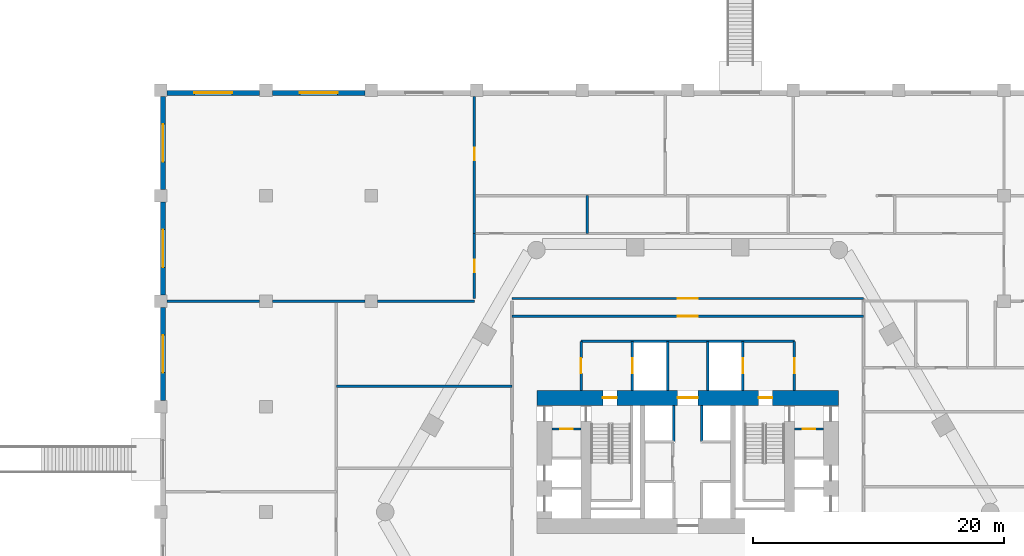
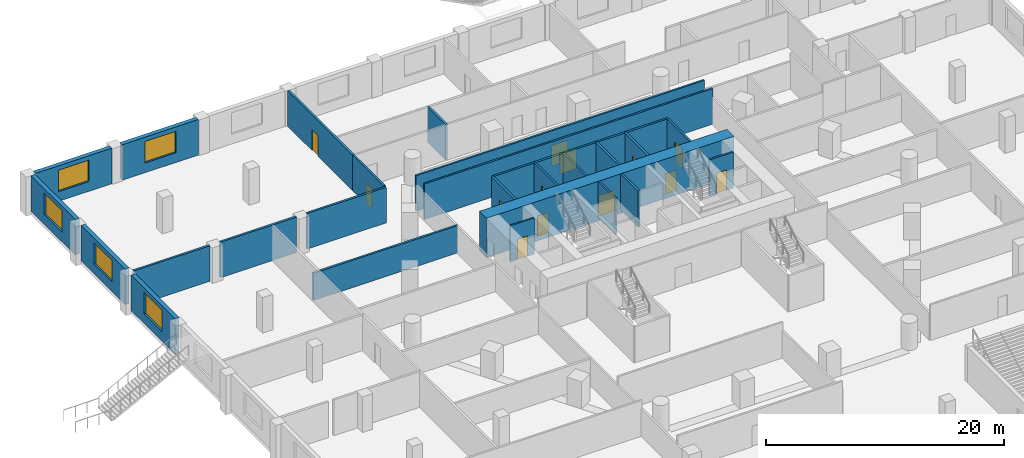
# One storey, part 15 of 24: 26 walls, 13 doors, 5 windows, 18 openings.
"""IFC4 building model written with IfcOpenShell, lengths in metres."""

from ifc_helpers import new_model, si_unit, direction, frame, frame_2d, origin, place, context, subcontext, project, spatial, rectangle, extrude, material, layer, layer_set, type_object, element, fill, save


model = new_model("IFC4")

# Units and contexts
model_context = context("Model", 3, precision=1e-05, world=origin(), true_north=direction((0.0, 1.0)))
body_context = subcontext(model_context, "Body", "Model", "MODEL_VIEW")
ifc_project = project(units=[si_unit("LENGTHUNIT", "METRE"), si_unit("AREAUNIT", "SQUARE_METRE"), si_unit("VOLUMEUNIT", "CUBIC_METRE"), si_unit("PLANEANGLEUNIT", "RADIAN"), si_unit("MASSUNIT", "GRAM", prefix="KILO")], contexts=[model_context])

# Site, building, storey
site_placement = place(None, origin())
site = spatial("IfcSite", under=ifc_project, at=site_placement, CompositionType="ELEMENT")
building_placement = place(site_placement, origin())
building = spatial("IfcBuilding", under=site, at=building_placement, Name="Ostrander Bayou Hotel Tower", CompositionType="ELEMENT")
storey_placement = place(building_placement, frame((0.0, 0.0, 6.0)))
storey = spatial("IfcBuildingStorey", under=building, at=storey_placement, Name="L01", CompositionType="ELEMENT", Elevation=6.0)

# Wall, openings, doors
ifc_material_1 = material(Name="Concrete f'c 70 MPa", Category="concrete")
ifc_layer_1 = layer(ifc_material_1, 1.199951171875)
ifc_layer_set_1 = layer_set([ifc_layer_1], Name="CW1 core wall 1200 mm f'c 70 MPa")
wall_type_1 = type_object("IfcWallType", Name="CW1 core wall 1200 mm f'c 70 MPa", PredefinedType="SHEAR", material=ifc_layer_set_1)
wall_1_placement = place(storey_placement, frame((-12.0, 9.10009765625, -0.35009765625), z_axis=(0.0, 0.0, 1.0), x_axis=(1.0, 0.0, 0.0)))
wall_1 = element("IfcWall", 1, at=wall_1_placement, inside=storey, type_object=wall_type_1, Name="CW1 L01 N", PredefinedType="SHEAR", context=body_context, shape_type="SweptSolid", body=[
    extrude(rectangle(XDim=24.0, YDim=1.199951171875, at=frame_2d((12.0, 0.0))), origin(), (0.0, 0.0, 1.0), 4.050048828125),
])
opening_1_placement = place(wall_1_placement, frame((11.199951171875, 0.0, 0.0)))
opening_1 = element("IfcOpeningElement", 2, at=opening_1_placement, cuts=wall_1, Name="Opening T01-002", PredefinedType="OPENING", context=body_context, shape_type="SweptSolid", body=[
    extrude(rectangle(XDim=1.60009765625, YDim=2.10009765625, at=frame_2d((0.800048828125, 1.050048828125))), frame((0.0, 0.60009765625, 0.0), z_axis=(0.0, -1.0, 0.0), x_axis=(1.0, 0.0, 0.0)), (0.0, 0.0, 1.0), 1.199951171875),
])
opening_2_placement = place(wall_1_placement, frame((5.25, 0.0, 0.0)))
opening_2 = element("IfcOpeningElement", 3, at=opening_2_placement, cuts=wall_1, Name="Opening T01-003", PredefinedType="OPENING", context=body_context, shape_type="SweptSolid", body=[
    extrude(rectangle(XDim=1.10009765625, YDim=2.10009765625, at=frame_2d((0.550048828125, 1.050048828125))), frame((0.0, 0.60009765625, 0.0), z_axis=(0.0, -1.0, 0.0), x_axis=(1.0, 0.0, 0.0)), (0.0, 0.0, 1.0), 1.199951171875),
])
opening_3_placement = place(wall_1_placement, frame((17.64990234375, 0.0, 0.0)))
opening_3 = element("IfcOpeningElement", 4, at=opening_3_placement, cuts=wall_1, Name="Opening T01-005", PredefinedType="OPENING", context=body_context, shape_type="SweptSolid", body=[
    extrude(rectangle(XDim=1.10009765625, YDim=2.10009765625, at=frame_2d((0.550048828125, 1.050048828125))), frame((0.0, 0.60009765625, 0.0), z_axis=(0.0, -1.0, 0.0), x_axis=(1.0, 0.0, 0.0)), (0.0, 0.0, 1.0), 1.199951171875),
])
ifc_material_2 = material(Name="Timber door leaf", Category="wood")
door_type_1 = type_object("IfcDoorType", Name="D13 double door 1600 x 2100 mm, 1 hour", OperationType="SINGLE_SWING_LEFT", PredefinedType="DOOR", material=ifc_material_2)
door_1_placement = place(opening_1_placement, origin())
door_1 = element("IfcDoor", 5, at=door_1_placement, inside=storey, type_object=door_type_1, Name="dr:L01:002", OperationType="DOUBLE_DOOR_SINGLE_SWING", OverallHeight=2.10009765625, OverallWidth=1.60009765625, PredefinedType="DOOR", context=body_context, shape_type="SweptSolid", body=[
    extrude(rectangle(XDim=1.60009765625, YDim=2.10009765625, at=frame_2d((0.800048828125, 1.050048828125))), frame((0.0, 0.02490234375, 0.0), z_axis=(0.0, -1.0, 0.0), x_axis=(1.0, 0.0, 0.0)), (0.0, 0.0, 1.0), 0.050048828125),
])
fill(opening_1, door_1)
ifc_material_3 = material(Name="Timber door leaf", Category="wood")
door_type_2 = type_object("IfcDoorType", Name="D5 stair door 1100 x 2100 mm, 90 minute", OperationType="SINGLE_SWING_LEFT", PredefinedType="DOOR", material=ifc_material_3)
door_2_placement = place(opening_2_placement, origin())
door_2 = element("IfcDoor", 6, at=door_2_placement, inside=storey, type_object=door_type_2, Name="dr:L01:003", OperationType="SINGLE_SWING_LEFT", OverallHeight=2.10009765625, OverallWidth=1.10009765625, PredefinedType="DOOR", context=body_context, shape_type="SweptSolid", body=[
    extrude(rectangle(XDim=1.10009765625, YDim=2.10009765625, at=frame_2d((0.550048828125, 1.050048828125))), frame((0.0, 0.02490234375, 0.0), z_axis=(0.0, -1.0, 0.0), x_axis=(1.0, 0.0, 0.0)), (0.0, 0.0, 1.0), 0.050048828125),
])
fill(opening_2, door_2)
door_3_placement = place(opening_3_placement, origin())
door_3 = element("IfcDoor", 7, at=door_3_placement, inside=storey, type_object=door_type_2, Name="dr:L01:005", OperationType="SINGLE_SWING_RIGHT", OverallHeight=2.10009765625, OverallWidth=1.10009765625, PredefinedType="DOOR", context=body_context, shape_type="SweptSolid", body=[
    extrude(rectangle(XDim=1.10009765625, YDim=2.10009765625, at=frame_2d((0.550048828125, 1.050048828125))), frame((0.0, 0.02490234375, 0.0), z_axis=(0.0, -1.0, 0.0), x_axis=(1.0, 0.0, 0.0)), (0.0, 0.0, 1.0), 0.050048828125),
])
fill(opening_3, door_3)

# Walls
ifc_material_4 = material(Name="Gypsum board partition", Category="finish")
ifc_layer_2 = layer(ifc_material_4, 0.199951171875)
ifc_layer_set_2 = layer_set([ifc_layer_2], Name="PT3 demising wall 200 mm acoustic double stud, 1 hour")
wall_type_2 = type_object("IfcWallType", Name="PT3 demising wall 200 mm acoustic double stud, 1 hour", PredefinedType="PARTITIONING", material=ifc_layer_set_2)
wall_2_placement = place(storey_placement, frame((-28.0, 10.0, 0.0), z_axis=(0.0, 0.0, 1.0), x_axis=(1.0, 0.0, 0.0)))
element("IfcWall", 8, at=wall_2_placement, inside=storey, type_object=wall_type_2, Name="sw:L01:038", PredefinedType="PARTITIONING", context=body_context, shape_type="SweptSolid", body=[
    extrude(rectangle(XDim=14.0, YDim=0.199951171875, at=frame_2d((7.0, 0.0))), origin(), (0.0, 0.0, 1.0), 2.800048828125),
])
wall_3_placement = place(storey_placement, frame((-41.5, 16.800048828125, 0.0), z_axis=(0.0, 0.0, 1.0), x_axis=(1.0, 0.0, 0.0)))
element("IfcWall", 9, at=wall_3_placement, inside=storey, type_object=wall_type_2, Name="sw:L01:041", PredefinedType="PARTITIONING", context=body_context, shape_type="SweptSolid", body=[
    extrude(rectangle(XDim=7.39990234375, YDim=0.199951171875, at=frame_2d((3.699951171875, 0.0))), origin(), (0.0, 0.0, 1.0), 3.64990234375),
])
wall_4_placement = place(storey_placement, frame((-33.10009765625, 16.800048828125, 0.0), z_axis=(0.0, 0.0, 1.0), x_axis=(1.0, 0.0, 0.0)))
element("IfcWall", 10, at=wall_4_placement, inside=storey, type_object=wall_type_2, Name="sw:L01:042", PredefinedType="PARTITIONING", context=body_context, shape_type="SweptSolid", body=[
    extrude(rectangle(XDim=7.400146484375, YDim=0.199951171875, at=frame_2d((3.7001953125, 0.0))), origin(), (0.0, 0.0, 1.0), 3.64990234375),
])
wall_5_placement = place(storey_placement, frame((-24.699951171875, 16.800048828125, 0.0), z_axis=(0.0, 0.0, 1.0), x_axis=(1.0, 0.0, 0.0)))
element("IfcWall", 11, at=wall_5_placement, inside=storey, type_object=wall_type_2, Name="sw:L01:043", PredefinedType="PARTITIONING", context=body_context, shape_type="SweptSolid", body=[
    extrude(rectangle(XDim=7.699951171875, YDim=0.199951171875, at=frame_2d((3.85009765625, 0.0))), origin(), (0.0, 0.0, 1.0), 3.64990234375),
])

# Wall, opening, door
wall_6_placement = place(storey_placement, frame((-17.0, 22.199951171875, 0.0), z_axis=(0.0, 0.0, 1.0), x_axis=(0.0, 1.0, 0.0)))
wall_6 = element("IfcWall", 12, at=wall_6_placement, inside=storey, type_object=wall_type_2, Name="sw:L01:047", PredefinedType="PARTITIONING", context=body_context, shape_type="SweptSolid", body=[
    extrude(rectangle(XDim=10.900146484375, YDim=0.199951171875, at=frame_2d((5.4501953125, 0.0))), origin(), (0.0, 0.0, 1.0), 3.64990234375),
])
opening_4_placement = place(wall_6_placement, frame((5.824951171875, 0.0, 0.0)))
opening_4 = element("IfcOpeningElement", 13, at=opening_4_placement, cuts=wall_6, Name="Opening T01-227", PredefinedType="OPENING", context=body_context, shape_type="SweptSolid", body=[
    extrude(rectangle(XDim=1.0, YDim=2.10009765625, at=frame_2d((0.5, 1.050048828125))), frame((0.0, 0.10009765625, 0.0), z_axis=(0.0, -1.0, 0.0), x_axis=(1.0, 0.0, 0.0)), (0.0, 0.0, 1.0), 0.199951171875),
])
ifc_material_5 = material(Name="Timber door leaf", Category="wood")
door_type_3 = type_object("IfcDoorType", Name="D9 service door 1000 x 2100 mm, 30 minute", OperationType="SINGLE_SWING_LEFT", PredefinedType="DOOR", material=ifc_material_5)
door_4_placement = place(opening_4_placement, origin())
door_4 = element("IfcDoor", 14, at=door_4_placement, inside=storey, type_object=door_type_3, Name="dr:L01:227", OperationType="SINGLE_SWING_LEFT", OverallHeight=2.10009765625, OverallWidth=1.0, PredefinedType="DOOR", context=body_context, shape_type="SweptSolid", body=[
    extrude(rectangle(XDim=1.0, YDim=2.10009765625, at=frame_2d((0.5, 1.050048828125))), frame((0.0, 0.02490234375, 0.0), z_axis=(0.0, -1.0, 0.0), x_axis=(1.0, 0.0, 0.0)), (0.0, 0.0, 1.0), 0.050048828125),
])
fill(opening_4, door_4)

# Wall
wall_7_placement = place(storey_placement, frame((-8.0, 22.199951171875, 0.0), z_axis=(0.0, 0.0, 1.0), x_axis=(0.0, 1.0, 0.0)))
element("IfcWall", 15, at=wall_7_placement, inside=storey, type_object=wall_type_2, Name="sw:L01:048", PredefinedType="PARTITIONING", context=body_context, shape_type="SweptSolid", body=[
    extrude(rectangle(XDim=3.0, YDim=0.199951171875, at=frame_2d((1.5, 0.0))), origin(), (0.0, 0.0, 1.0), 3.64990234375),
])

# Wall, opening, door
ifc_material_6 = material(Name="Gypsum board partition", Category="finish")
ifc_layer_3 = layer(ifc_material_6, 0.175048828125)
ifc_layer_set_3 = layer_set([ifc_layer_3], Name="PT4 corridor wall 175 mm, 1 hour")
wall_type_3 = type_object("IfcWallType", Name="PT4 corridor wall 175 mm, 1 hour", PredefinedType="PARTITIONING", material=ifc_layer_set_3)
wall_8_placement = place(storey_placement, frame((-10.800048828125, 6.614013671875, 0.0), z_axis=(0.0, 0.0, 1.0), x_axis=(1.0, 0.0, 0.0)))
wall_8 = element("IfcWall", 16, at=wall_8_placement, inside=storey, type_object=wall_type_3, Name="cs:L01:033", PredefinedType="PARTITIONING", context=body_context, shape_type="SweptSolid", body=[
    extrude(rectangle(XDim=2.300048828125, YDim=0.175048828125, at=frame_2d((1.14990234375, 0.0))), origin(), (0.0, 0.0, 1.0), 3.699951171875),
])
opening_5_placement = place(wall_8_placement, frame((0.64990234375, 0.0, 0.0)))
opening_5 = element("IfcOpeningElement", 17, at=opening_5_placement, cuts=wall_8, Name="Opening T01-014", PredefinedType="OPENING", context=body_context, shape_type="SweptSolid", body=[
    extrude(rectangle(XDim=1.0, YDim=2.10009765625, at=frame_2d((0.5, 1.050048828125))), frame((0.0, 0.08740234375, 0.0), z_axis=(0.0, -1.0, 0.0), x_axis=(1.0, 0.0, 0.0)), (0.0, 0.0, 1.0), 0.175048828125),
])
ifc_material_7 = material(Name="Timber door leaf", Category="wood")
door_type_4 = type_object("IfcDoorType", Name="D4 corridor door 1000 x 2100 mm, 1 hour", OperationType="SINGLE_SWING_LEFT", PredefinedType="DOOR", material=ifc_material_7)
door_5_placement = place(opening_5_placement, origin())
door_5 = element("IfcDoor", 18, at=door_5_placement, inside=storey, type_object=door_type_4, Name="dr:L01:014", OperationType="SINGLE_SWING_LEFT", OverallHeight=2.10009765625, OverallWidth=1.0, PredefinedType="DOOR", context=body_context, shape_type="SweptSolid", body=[
    extrude(rectangle(XDim=1.0, YDim=2.10009765625, at=frame_2d((0.5, 1.050048828125))), frame((0.0, 0.02490234375, 0.0), z_axis=(0.0, -1.0, 0.0), x_axis=(1.0, 0.0, 0.0)), (0.0, 0.0, 1.0), 0.050048828125),
])
fill(opening_5, door_5)

wall_9_placement = place(storey_placement, frame((8.5, 6.614013671875, 0.0), z_axis=(0.0, 0.0, 1.0), x_axis=(1.0, 0.0, 0.0)))
wall_9 = element("IfcWall", 19, at=wall_9_placement, inside=storey, type_object=wall_type_3, Name="cs:L01:036", PredefinedType="PARTITIONING", context=body_context, shape_type="SweptSolid", body=[
    extrude(rectangle(XDim=2.300048828125, YDim=0.175048828125, at=frame_2d((1.14990234375, 0.0))), origin(), (0.0, 0.0, 1.0), 3.699951171875),
])
opening_6_placement = place(wall_9_placement, frame((0.64990234375, 0.0, 0.0)))
opening_6 = element("IfcOpeningElement", 20, at=opening_6_placement, cuts=wall_9, Name="Opening T01-018", PredefinedType="OPENING", context=body_context, shape_type="SweptSolid", body=[
    extrude(rectangle(XDim=1.0, YDim=2.10009765625, at=frame_2d((0.5, 1.050048828125))), frame((0.0, 0.08740234375, 0.0), z_axis=(0.0, -1.0, 0.0), x_axis=(1.0, 0.0, 0.0)), (0.0, 0.0, 1.0), 0.175048828125),
])
door_6_placement = place(opening_6_placement, origin())
door_6 = element("IfcDoor", 21, at=door_6_placement, inside=storey, type_object=door_type_4, Name="dr:L01:018", OperationType="SINGLE_SWING_RIGHT", OverallHeight=2.10009765625, OverallWidth=1.0, PredefinedType="DOOR", context=body_context, shape_type="SweptSolid", body=[
    extrude(rectangle(XDim=1.0, YDim=2.10009765625, at=frame_2d((0.5, 1.050048828125))), frame((0.0, 0.02490234375, 0.0), z_axis=(0.0, -1.0, 0.0), x_axis=(1.0, 0.0, 0.0)), (0.0, 0.0, 1.0), 0.050048828125),
])
fill(opening_6, door_6)

wall_10_placement = place(storey_placement, frame((-14.0, 15.60009765625, 0.0), z_axis=(0.0, 0.0, 1.0), x_axis=(1.0, 0.0, 0.0)))
wall_10 = element("IfcWall", 22, at=wall_10_placement, inside=storey, type_object=wall_type_3, Name="sw:L01:009", PredefinedType="PARTITIONING", context=body_context, shape_type="SweptSolid", body=[
    extrude(rectangle(XDim=28.0, YDim=0.175048828125, at=frame_2d((14.0, 0.0))), origin(), (0.0, 0.0, 1.0), 3.64990234375),
])
opening_7_placement = place(wall_10_placement, frame((13.199951171875, 0.0, 0.0)))
opening_7 = element("IfcOpeningElement", 23, at=opening_7_placement, cuts=wall_10, Name="Opening T01-201", PredefinedType="OPENING", context=body_context, shape_type="SweptSolid", body=[
    extrude(rectangle(XDim=1.60009765625, YDim=2.10009765625, at=frame_2d((0.800048828125, 1.050048828125))), frame((0.0, 0.08740234375, 0.0), z_axis=(0.0, -1.0, 0.0), x_axis=(1.0, 0.0, 0.0)), (0.0, 0.0, 1.0), 0.175048828125),
])
door_7_placement = place(opening_7_placement, origin())
door_7 = element("IfcDoor", 24, at=door_7_placement, inside=storey, type_object=door_type_1, Name="dr:L01:201", OperationType="DOUBLE_DOOR_SINGLE_SWING", OverallHeight=2.10009765625, OverallWidth=1.60009765625, PredefinedType="DOOR", context=body_context, shape_type="SweptSolid", body=[
    extrude(rectangle(XDim=1.60009765625, YDim=2.10009765625, at=frame_2d((0.800048828125, 1.050048828125))), frame((0.0, 0.02490234375, 0.0), z_axis=(0.0, -1.0, 0.0), x_axis=(1.0, 0.0, 0.0)), (0.0, 0.0, 1.0), 0.050048828125),
])
fill(opening_7, door_7)

wall_11_placement = place(storey_placement, frame((-14.0, 17.0, 0.0), z_axis=(0.0, 0.0, 1.0), x_axis=(1.0, 0.0, 0.0)))
wall_11 = element("IfcWall", 25, at=wall_11_placement, inside=storey, type_object=wall_type_3, Name="sw:L01:013", PredefinedType="PARTITIONING", context=body_context, shape_type="SweptSolid", body=[
    extrude(rectangle(XDim=28.0, YDim=0.175048828125, at=frame_2d((14.0, 0.0))), origin(), (0.0, 0.0, 1.0), 3.64990234375),
])
opening_8_placement = place(wall_11_placement, frame((13.199951171875, 0.0, 0.0)))
opening_8 = element("IfcOpeningElement", 26, at=opening_8_placement, cuts=wall_11, Name="Opening T01-200", PredefinedType="OPENING", context=body_context, shape_type="SweptSolid", body=[
    extrude(rectangle(XDim=1.60009765625, YDim=2.10009765625, at=frame_2d((0.800048828125, 1.050048828125))), frame((0.0, 0.08740234375, 0.0), z_axis=(0.0, -1.0, 0.0), x_axis=(1.0, 0.0, 0.0)), (0.0, 0.0, 1.0), 0.175048828125),
])
door_8_placement = place(opening_8_placement, origin())
door_8 = element("IfcDoor", 27, at=door_8_placement, inside=storey, type_object=door_type_1, Name="dr:L01:200", OperationType="DOUBLE_DOOR_SINGLE_SWING", OverallHeight=2.10009765625, OverallWidth=1.60009765625, PredefinedType="DOOR", context=body_context, shape_type="SweptSolid", body=[
    extrude(rectangle(XDim=1.60009765625, YDim=2.10009765625, at=frame_2d((0.800048828125, 1.050048828125))), frame((0.0, 0.02490234375, 0.0), z_axis=(0.0, -1.0, 0.0), x_axis=(1.0, 0.0, 0.0)), (0.0, 0.0, 1.0), 0.050048828125),
])
fill(opening_8, door_8)

wall_12_placement = place(storey_placement, frame((-17.0, 17.0, 0.0), z_axis=(0.0, 0.0, 1.0), x_axis=(0.0, 1.0, 0.0)))
wall_12 = element("IfcWall", 28, at=wall_12_placement, inside=storey, type_object=wall_type_3, Name="sw:L01:017", PredefinedType="PARTITIONING", context=body_context, shape_type="SweptSolid", body=[
    extrude(rectangle(XDim=5.199951171875, YDim=0.175048828125, at=frame_2d((2.60009765625, 0.0))), origin(), (0.0, 0.0, 1.0), 3.64990234375),
])
opening_9_placement = place(wall_12_placement, frame((2.10009765625, 0.0, 0.0)))
opening_9 = element("IfcOpeningElement", 29, at=opening_9_placement, cuts=wall_12, Name="Opening T01-226", PredefinedType="OPENING", context=body_context, shape_type="SweptSolid", body=[
    extrude(rectangle(XDim=1.0, YDim=2.10009765625, at=frame_2d((0.5, 1.050048828125))), frame((0.0, 0.08740234375, 0.0), z_axis=(0.0, -1.0, 0.0), x_axis=(1.0, 0.0, 0.0)), (0.0, 0.0, 1.0), 0.175048828125),
])
door_9_placement = place(opening_9_placement, origin())
door_9 = element("IfcDoor", 30, at=door_9_placement, inside=storey, type_object=door_type_3, Name="dr:L01:226", OperationType="SINGLE_SWING_RIGHT", OverallHeight=2.10009765625, OverallWidth=1.0, PredefinedType="DOOR", context=body_context, shape_type="SweptSolid", body=[
    extrude(rectangle(XDim=1.0, YDim=2.10009765625, at=frame_2d((0.5, 1.050048828125))), frame((0.0, 0.02490234375, 0.0), z_axis=(0.0, -1.0, 0.0), x_axis=(1.0, 0.0, 0.0)), (0.0, 0.0, 1.0), 0.050048828125),
])
fill(opening_9, door_9)

# Wall
ifc_material_8 = material(Name="Masonry block", Category="masonry")
ifc_layer_4 = layer(ifc_material_8, 0.199951171875)
ifc_layer_set_4 = layer_set([ifc_layer_4], Name="PT5 stair enclosure wall 200 mm masonry, 2 hour")
wall_type_4 = type_object("IfcWallType", Name="PT5 stair enclosure wall 200 mm masonry, 2 hour", PredefinedType="PARTITIONING", material=ifc_layer_set_4)
wall_13_placement = place(storey_placement, frame((-8.5, 13.60009765625, 0.0), z_axis=(0.0, 0.0, 1.0), x_axis=(1.0, 0.0, 0.0)))
element("IfcWall", 31, at=wall_13_placement, inside=storey, type_object=wall_type_4, Name="cs:L01:023", PredefinedType="PARTITIONING", context=body_context, shape_type="SweptSolid", body=[
    extrude(rectangle(XDim=17.0, YDim=0.199951171875, at=frame_2d((8.5, 0.0))), origin(), (0.0, 0.0, 1.0), 3.699951171875),
])

# Wall, opening, door
wall_14_placement = place(storey_placement, frame((-8.5, 9.699951171875, 0.0), z_axis=(0.0, 0.0, 1.0), x_axis=(0.0, 1.0, 0.0)))
wall_14 = element("IfcWall", 32, at=wall_14_placement, inside=storey, type_object=wall_type_4, Name="cs:L01:024", PredefinedType="PARTITIONING", context=body_context, shape_type="SweptSolid", body=[
    extrude(rectangle(XDim=3.900146484375, YDim=0.199951171875, at=frame_2d((1.9501953125, 0.0))), origin(), (0.0, 0.0, 1.0), 3.699951171875),
])
opening_10_placement = place(wall_14_placement, frame((1.35009765625, 0.0, 0.0)))
opening_10 = element("IfcOpeningElement", 33, at=opening_10_placement, cuts=wall_14, Name="Opening T01-010", PredefinedType="OPENING", context=body_context, shape_type="SweptSolid", body=[
    extrude(rectangle(XDim=1.199951171875, YDim=2.10009765625, at=frame_2d((0.60009765625, 1.050048828125))), frame((0.0, 0.10009765625, 0.0), z_axis=(0.0, -1.0, 0.0), x_axis=(1.0, 0.0, 0.0)), (0.0, 0.0, 1.0), 0.199951171875),
])
ifc_material_9 = material(Name="Timber door leaf", Category="wood")
door_type_5 = type_object("IfcDoorType", Name="D7 lobby door 1200 x 2100 mm, 1 hour", OperationType="SINGLE_SWING_LEFT", PredefinedType="DOOR", material=ifc_material_9)
door_10_placement = place(opening_10_placement, origin())
door_10 = element("IfcDoor", 34, at=door_10_placement, inside=storey, type_object=door_type_5, Name="dr:L01:010", OperationType="SINGLE_SWING_LEFT", OverallHeight=2.10009765625, OverallWidth=1.199951171875, PredefinedType="DOOR", context=body_context, shape_type="SweptSolid", body=[
    extrude(rectangle(XDim=1.199951171875, YDim=2.10009765625, at=frame_2d((0.60009765625, 1.050048828125))), frame((0.0, 0.02490234375, 0.0), z_axis=(0.0, -1.0, 0.0), x_axis=(1.0, 0.0, 0.0)), (0.0, 0.0, 1.0), 0.050048828125),
])
fill(opening_10, door_10)

wall_15_placement = place(storey_placement, frame((8.5, 9.699951171875, 0.0), z_axis=(0.0, 0.0, 1.0), x_axis=(0.0, 1.0, 0.0)))
wall_15 = element("IfcWall", 35, at=wall_15_placement, inside=storey, type_object=wall_type_4, Name="cs:L01:025", PredefinedType="PARTITIONING", context=body_context, shape_type="SweptSolid", body=[
    extrude(rectangle(XDim=3.900146484375, YDim=0.199951171875, at=frame_2d((1.9501953125, 0.0))), origin(), (0.0, 0.0, 1.0), 3.699951171875),
])
opening_11_placement = place(wall_15_placement, frame((1.35009765625, 0.0, 0.0)))
opening_11 = element("IfcOpeningElement", 36, at=opening_11_placement, cuts=wall_15, Name="Opening T01-012", PredefinedType="OPENING", context=body_context, shape_type="SweptSolid", body=[
    extrude(rectangle(XDim=1.199951171875, YDim=2.10009765625, at=frame_2d((0.60009765625, 1.050048828125))), frame((0.0, 0.10009765625, 0.0), z_axis=(0.0, -1.0, 0.0), x_axis=(1.0, 0.0, 0.0)), (0.0, 0.0, 1.0), 0.199951171875),
])
door_11_placement = place(opening_11_placement, origin())
door_11 = element("IfcDoor", 37, at=door_11_placement, inside=storey, type_object=door_type_5, Name="dr:L01:012", OperationType="SINGLE_SWING_LEFT", OverallHeight=2.10009765625, OverallWidth=1.199951171875, PredefinedType="DOOR", context=body_context, shape_type="SweptSolid", body=[
    extrude(rectangle(XDim=1.199951171875, YDim=2.10009765625, at=frame_2d((0.60009765625, 1.050048828125))), frame((0.0, 0.02490234375, 0.0), z_axis=(0.0, -1.0, 0.0), x_axis=(1.0, 0.0, 0.0)), (0.0, 0.0, 1.0), 0.050048828125),
])
fill(opening_11, door_11)

wall_16_placement = place(storey_placement, frame((-4.39990234375, 9.699951171875, 0.0), z_axis=(0.0, 0.0, 1.0), x_axis=(0.0, 1.0, 0.0)))
wall_16 = element("IfcWall", 38, at=wall_16_placement, inside=storey, type_object=wall_type_4, Name="cs:L01:026", PredefinedType="PARTITIONING", context=body_context, shape_type="SweptSolid", body=[
    extrude(rectangle(XDim=3.900146484375, YDim=0.199951171875, at=frame_2d((1.9501953125, 0.0))), origin(), (0.0, 0.0, 1.0), 3.699951171875),
])
opening_12_placement = place(wall_16_placement, frame((1.35009765625, 0.0, 0.0)))
opening_12 = element("IfcOpeningElement", 39, at=opening_12_placement, cuts=wall_16, Name="Opening T01-009", PredefinedType="OPENING", context=body_context, shape_type="SweptSolid", body=[
    extrude(rectangle(XDim=1.199951171875, YDim=2.10009765625, at=frame_2d((0.60009765625, 1.050048828125))), frame((0.0, 0.10009765625, 0.0), z_axis=(0.0, -1.0, 0.0), x_axis=(1.0, 0.0, 0.0)), (0.0, 0.0, 1.0), 0.199951171875),
])
ifc_material_10 = material(Name="Stainless steel sliding door", Category="steel")
door_type_6 = type_object("IfcDoorType", Name="LD1 lift landing door 1200 x 2100 mm", OperationType="SINGLE_SWING_LEFT", PredefinedType="DOOR", material=ifc_material_10)
door_12_placement = place(opening_12_placement, origin())
door_12 = element("IfcDoor", 40, at=door_12_placement, inside=storey, type_object=door_type_6, Name="dr:L01:009", OperationType="SLIDING_TO_LEFT", OverallHeight=2.10009765625, OverallWidth=1.199951171875, PredefinedType="DOOR", context=body_context, shape_type="SweptSolid", body=[
    extrude(rectangle(XDim=1.199951171875, YDim=2.10009765625, at=frame_2d((0.60009765625, 1.050048828125))), frame((0.0, 0.02490234375, 0.0), z_axis=(0.0, -1.0, 0.0), x_axis=(1.0, 0.0, 0.0)), (0.0, 0.0, 1.0), 0.050048828125),
])
fill(opening_12, door_12)

wall_17_placement = place(storey_placement, frame((4.39990234375, 9.699951171875, 0.0), z_axis=(0.0, 0.0, 1.0), x_axis=(0.0, 1.0, 0.0)))
wall_17 = element("IfcWall", 41, at=wall_17_placement, inside=storey, type_object=wall_type_4, Name="cs:L01:027", PredefinedType="PARTITIONING", context=body_context, shape_type="SweptSolid", body=[
    extrude(rectangle(XDim=3.900146484375, YDim=0.199951171875, at=frame_2d((1.9501953125, 0.0))), origin(), (0.0, 0.0, 1.0), 3.699951171875),
])
opening_13_placement = place(wall_17_placement, frame((1.35009765625, 0.0, 0.0)))
opening_13 = element("IfcOpeningElement", 42, at=opening_13_placement, cuts=wall_17, Name="Opening T01-011", PredefinedType="OPENING", context=body_context, shape_type="SweptSolid", body=[
    extrude(rectangle(XDim=1.199951171875, YDim=2.10009765625, at=frame_2d((0.60009765625, 1.050048828125))), frame((0.0, 0.10009765625, 0.0), z_axis=(0.0, -1.0, 0.0), x_axis=(1.0, 0.0, 0.0)), (0.0, 0.0, 1.0), 0.199951171875),
])
door_13_placement = place(opening_13_placement, origin())
door_13 = element("IfcDoor", 43, at=door_13_placement, inside=storey, type_object=door_type_6, Name="dr:L01:011", OperationType="SLIDING_TO_LEFT", OverallHeight=2.10009765625, OverallWidth=1.199951171875, PredefinedType="DOOR", context=body_context, shape_type="SweptSolid", body=[
    extrude(rectangle(XDim=1.199951171875, YDim=2.10009765625, at=frame_2d((0.60009765625, 1.050048828125))), frame((0.0, 0.02490234375, 0.0), z_axis=(0.0, -1.0, 0.0), x_axis=(1.0, 0.0, 0.0)), (0.0, 0.0, 1.0), 0.050048828125),
])
fill(opening_13, door_13)

# Walls
ifc_material_11 = material(Name="Masonry block", Category="masonry")
ifc_layer_5 = layer(ifc_material_11, 0.199951171875)
ifc_layer_set_5 = layer_set([ifc_layer_5], Name="PT6 lift shaft wall 200 mm masonry, 2 hour")
wall_type_5 = type_object("IfcWallType", Name="PT6 lift shaft wall 200 mm masonry, 2 hour", PredefinedType="PARTITIONING", material=ifc_layer_set_5)
for number, where, z_axis, x_axis, name in (
    (44, (-1.10009765625, 5.60009765625, 0.0), (0.0, 0.0, 1.0), (0.0, 1.0, 0.0), "cs:L01:007"),
    (45, (1.10009765625, 5.60009765625, 0.0), (0.0, 0.0, 1.0), (0.0, 1.0, 0.0), "cs:L01:008"),
):
    element("IfcWall", number, at=place(storey_placement, frame(where, z_axis=z_axis, x_axis=x_axis)), inside=storey, type_object=wall_type_5, Name=name, PredefinedType="PARTITIONING", context=body_context, shape_type="SweptSolid", body=[
        extrude(rectangle(XDim=2.89990234375, YDim=0.199951171875, at=frame_2d((1.449951171875, 0.0))), origin(), (0.0, 0.0, 1.0), 3.699951171875),
    ])
for number, where, z_axis, x_axis, name in (
    (46, (-1.60009765625, 9.699951171875, 0.0), (0.0, 0.0, 1.0), (0.0, 1.0, 0.0), "cs:L01:028"),
    (47, (1.60009765625, 9.699951171875, 0.0), (0.0, 0.0, 1.0), (0.0, 1.0, 0.0), "cs:L01:029"),
):
    element("IfcWall", number, at=place(storey_placement, frame(where, z_axis=z_axis, x_axis=x_axis)), inside=storey, type_object=wall_type_5, Name=name, PredefinedType="PARTITIONING", context=body_context, shape_type="SweptSolid", body=[
        extrude(rectangle(XDim=3.900146484375, YDim=0.199951171875, at=frame_2d((1.9501953125, 0.0))), origin(), (0.0, 0.0, 1.0), 3.699951171875),
    ])

# Wall, opening, window
ifc_material_12 = material(Name="Reconstituted stone on masonry backing", Category="masonry")
ifc_layer_6 = layer(ifc_material_12, 0.39990234375)
ifc_layer_set_6 = layer_set([ifc_layer_6], Name="PW1 stone cladding wall 400 mm")
wall_type_6 = type_object("IfcWallType", Name="PW1 stone cladding wall 400 mm", PredefinedType="SOLIDWALL", material=ifc_layer_set_6)
wall_18_placement = place(storey_placement, frame((-41.5, 33.39990234375, 0.0), z_axis=(0.0, 0.0, 1.0), x_axis=(1.0, 0.0, 0.0)))
wall_18 = element("IfcWall", 48, at=wall_18_placement, inside=storey, type_object=wall_type_6, Name="pw:L01:19", PredefinedType="SOLIDWALL", context=body_context, shape_type="SweptSolid", body=[
    extrude(rectangle(XDim=7.39990234375, YDim=0.39990234375, at=frame_2d((3.699951171875, 0.0))), origin(), (0.0, 0.0, 1.0), 3.64990234375),
])
opening_14_placement = place(wall_18_placement, frame((2.199951171875, 0.0, 1.0)))
opening_14 = element("IfcOpeningElement", 49, at=opening_14_placement, cuts=wall_18, Name="Opening W6", PredefinedType="OPENING", context=body_context, shape_type="SweptSolid", body=[
    extrude(rectangle(XDim=3.0, YDim=2.199951171875, at=frame_2d((1.5, 1.10009765625))), frame((0.0, 0.199951171875, 0.0), z_axis=(0.0, -1.0, 0.0), x_axis=(1.0, 0.0, 0.0)), (0.0, 0.0, 1.0), 0.39990234375),
])
ifc_material_13 = material(Name="Aluminium and clear glass", Category="aluminium")
window_type = type_object("IfcWindowType", Name="W6 podium window 3000 mm", PartitioningType="SINGLE_PANEL", PredefinedType="WINDOW", material=ifc_material_13)
window_1_placement = place(opening_14_placement, origin())
window_1 = element("IfcWindow", 50, at=window_1_placement, inside=storey, type_object=window_type, Name="W6 L01 19", OverallHeight=2.199951171875, OverallWidth=3.0, PartitioningType="SINGLE_PANEL", PredefinedType="WINDOW", context=body_context, shape_type="SweptSolid", body=[
    extrude(rectangle(XDim=3.0, YDim=2.199951171875, at=frame_2d((1.5, 1.10009765625))), frame((0.0, 0.030029296875, 0.0), z_axis=(0.0, -1.0, 0.0), x_axis=(1.0, 0.0, 0.0)), (0.0, 0.0, 1.0), 0.06005859375),
])
fill(opening_14, window_1)

wall_19_placement = place(storey_placement, frame((-33.10009765625, 33.39990234375, 0.0), z_axis=(0.0, 0.0, 1.0), x_axis=(1.0, 0.0, 0.0)))
wall_19 = element("IfcWall", 51, at=wall_19_placement, inside=storey, type_object=wall_type_6, Name="pw:L01:20", PredefinedType="SOLIDWALL", context=body_context, shape_type="SweptSolid", body=[
    extrude(rectangle(XDim=7.400146484375, YDim=0.39990234375, at=frame_2d((3.7001953125, 0.0))), origin(), (0.0, 0.0, 1.0), 3.64990234375),
])
opening_15_placement = place(wall_19_placement, frame((2.199951171875, 0.0, 1.0)))
opening_15 = element("IfcOpeningElement", 52, at=opening_15_placement, cuts=wall_19, Name="Opening W6", PredefinedType="OPENING", context=body_context, shape_type="SweptSolid", body=[
    extrude(rectangle(XDim=3.0, YDim=2.199951171875, at=frame_2d((1.5, 1.10009765625))), frame((0.0, 0.199951171875, 0.0), z_axis=(0.0, -1.0, 0.0), x_axis=(1.0, 0.0, 0.0)), (0.0, 0.0, 1.0), 0.39990234375),
])
window_2_placement = place(opening_15_placement, origin())
window_2 = element("IfcWindow", 53, at=window_2_placement, inside=storey, type_object=window_type, Name="W6 L01 20", OverallHeight=2.199951171875, OverallWidth=3.0, PartitioningType="SINGLE_PANEL", PredefinedType="WINDOW", context=body_context, shape_type="SweptSolid", body=[
    extrude(rectangle(XDim=3.0, YDim=2.199951171875, at=frame_2d((1.5, 1.10009765625))), frame((0.0, 0.030029296875, 0.0), z_axis=(0.0, -1.0, 0.0), x_axis=(1.0, 0.0, 0.0)), (0.0, 0.0, 1.0), 0.06005859375),
])
fill(opening_15, window_2)

wall_20_placement = place(storey_placement, frame((-41.800048828125, 8.89990234375, 0.0), z_axis=(0.0, 0.0, 1.0), x_axis=(0.0, 1.0, 0.0)))
wall_20 = element("IfcWall", 54, at=wall_20_placement, inside=storey, type_object=wall_type_6, Name="pw:L01:36", PredefinedType="SOLIDWALL", context=body_context, shape_type="SweptSolid", body=[
    extrude(rectangle(XDim=7.400146484375, YDim=0.39990234375, at=frame_2d((3.7001953125, 0.0))), origin(), (0.0, 0.0, 1.0), 3.64990234375),
])
opening_16_placement = place(wall_20_placement, frame((2.199951171875, 0.0, 1.0)))
opening_16 = element("IfcOpeningElement", 55, at=opening_16_placement, cuts=wall_20, Name="Opening W6", PredefinedType="OPENING", context=body_context, shape_type="SweptSolid", body=[
    extrude(rectangle(XDim=3.0, YDim=2.199951171875, at=frame_2d((1.5, 1.10009765625))), frame((0.0, 0.199951171875, 0.0), z_axis=(0.0, -1.0, 0.0), x_axis=(1.0, 0.0, 0.0)), (0.0, 0.0, 1.0), 0.39990234375),
])
window_3_placement = place(opening_16_placement, origin())
window_3 = element("IfcWindow", 56, at=window_3_placement, inside=storey, type_object=window_type, Name="W6 L01 36", OverallHeight=2.199951171875, OverallWidth=3.0, PartitioningType="SINGLE_PANEL", PredefinedType="WINDOW", context=body_context, shape_type="SweptSolid", body=[
    extrude(rectangle(XDim=3.0, YDim=2.199951171875, at=frame_2d((1.5, 1.10009765625))), frame((0.0, 0.030029296875, 0.0), z_axis=(0.0, -1.0, 0.0), x_axis=(1.0, 0.0, 0.0)), (0.0, 0.0, 1.0), 0.06005859375),
])
fill(opening_16, window_3)

wall_21_placement = place(storey_placement, frame((-41.800048828125, 17.300048828125, 0.0), z_axis=(0.0, 0.0, 1.0), x_axis=(0.0, 1.0, 0.0)))
wall_21 = element("IfcWall", 57, at=wall_21_placement, inside=storey, type_object=wall_type_6, Name="pw:L01:37", PredefinedType="SOLIDWALL", context=body_context, shape_type="SweptSolid", body=[
    extrude(rectangle(XDim=7.39990234375, YDim=0.39990234375, at=frame_2d((3.699951171875, 0.0))), origin(), (0.0, 0.0, 1.0), 3.64990234375),
])
opening_17_placement = place(wall_21_placement, frame((2.199951171875, 0.0, 1.0)))
opening_17 = element("IfcOpeningElement", 58, at=opening_17_placement, cuts=wall_21, Name="Opening W6", PredefinedType="OPENING", context=body_context, shape_type="SweptSolid", body=[
    extrude(rectangle(XDim=3.0, YDim=2.199951171875, at=frame_2d((1.5, 1.10009765625))), frame((0.0, 0.199951171875, 0.0), z_axis=(0.0, -1.0, 0.0), x_axis=(1.0, 0.0, 0.0)), (0.0, 0.0, 1.0), 0.39990234375),
])
window_4_placement = place(opening_17_placement, origin())
window_4 = element("IfcWindow", 59, at=window_4_placement, inside=storey, type_object=window_type, Name="W6 L01 37", OverallHeight=2.199951171875, OverallWidth=3.0, PartitioningType="SINGLE_PANEL", PredefinedType="WINDOW", context=body_context, shape_type="SweptSolid", body=[
    extrude(rectangle(XDim=3.0, YDim=2.199951171875, at=frame_2d((1.5, 1.10009765625))), frame((0.0, 0.030029296875, 0.0), z_axis=(0.0, -1.0, 0.0), x_axis=(1.0, 0.0, 0.0)), (0.0, 0.0, 1.0), 0.06005859375),
])
fill(opening_17, window_4)

wall_22_placement = place(storey_placement, frame((-41.800048828125, 25.699951171875, 0.0), z_axis=(0.0, 0.0, 1.0), x_axis=(0.0, 1.0, 0.0)))
wall_22 = element("IfcWall", 60, at=wall_22_placement, inside=storey, type_object=wall_type_6, Name="pw:L01:38", PredefinedType="SOLIDWALL", context=body_context, shape_type="SweptSolid", body=[
    extrude(rectangle(XDim=7.400146484375, YDim=0.39990234375, at=frame_2d((3.7001953125, 0.0))), origin(), (0.0, 0.0, 1.0), 3.64990234375),
])
opening_18_placement = place(wall_22_placement, frame((2.199951171875, 0.0, 1.0)))
opening_18 = element("IfcOpeningElement", 61, at=opening_18_placement, cuts=wall_22, Name="Opening W6", PredefinedType="OPENING", context=body_context, shape_type="SweptSolid", body=[
    extrude(rectangle(XDim=3.0, YDim=2.199951171875, at=frame_2d((1.5, 1.10009765625))), frame((0.0, 0.199951171875, 0.0), z_axis=(0.0, -1.0, 0.0), x_axis=(1.0, 0.0, 0.0)), (0.0, 0.0, 1.0), 0.39990234375),
])
window_5_placement = place(opening_18_placement, origin())
window_5 = element("IfcWindow", 62, at=window_5_placement, inside=storey, type_object=window_type, Name="W6 L01 38", OverallHeight=2.199951171875, OverallWidth=3.0, PartitioningType="SINGLE_PANEL", PredefinedType="WINDOW", context=body_context, shape_type="SweptSolid", body=[
    extrude(rectangle(XDim=3.0, YDim=2.199951171875, at=frame_2d((1.5, 1.10009765625))), frame((0.0, 0.030029296875, 0.0), z_axis=(0.0, -1.0, 0.0), x_axis=(1.0, 0.0, 0.0)), (0.0, 0.0, 1.0), 0.06005859375),
])
fill(opening_18, window_5)

save(model, "model.ifc")
